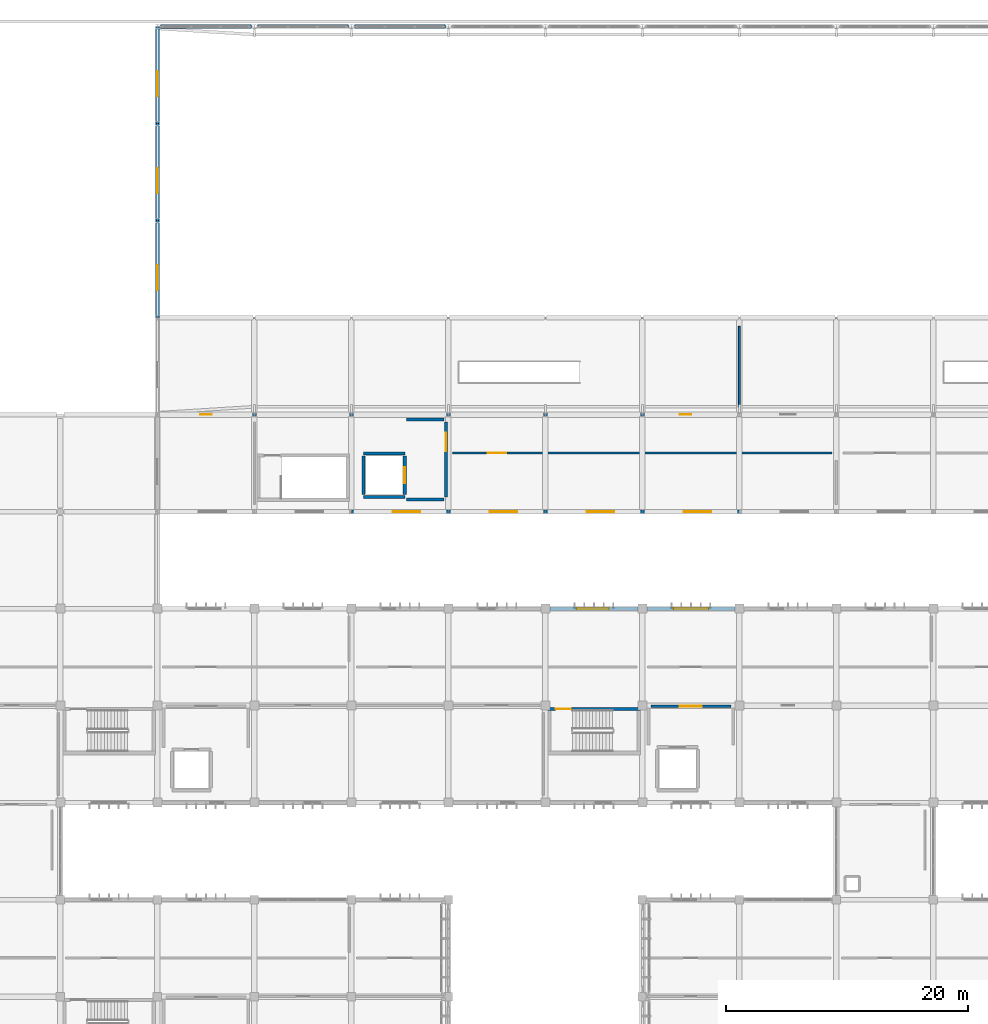
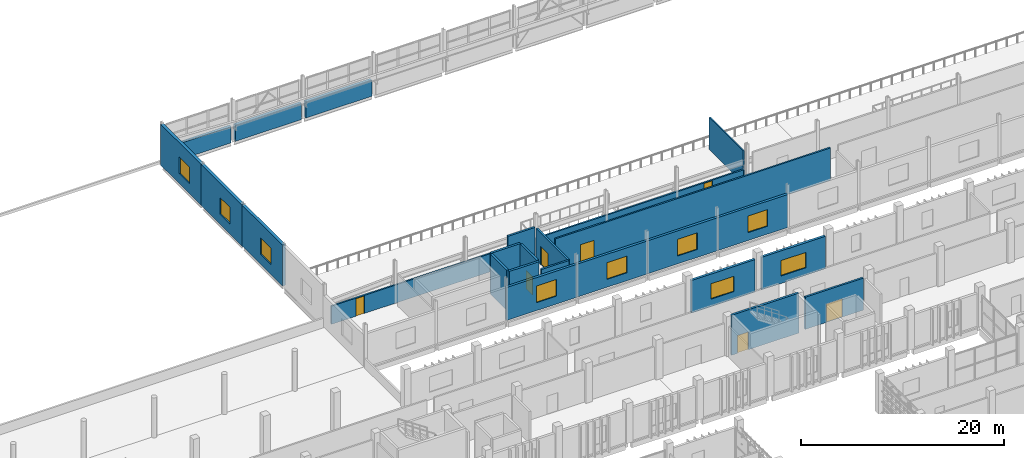
# One storey, part 85 of 106: 24 walls, 9 windows, 7 doors, 16 openings.
"""IFC4 building model written with IfcOpenShell, lengths in metres."""

import ifcopenshell
import ifcopenshell.guid

model = None  # the IFC model being written
_history = None  # IfcOwnerHistory: only IFC2X3 demands one
_inside = {}  # id of a spatial element -> (the spatial element, [elements in it])
_under = {}  # id of a project, library or spatial element -> (it, [spatial elements below it])
_declared = {}  # id of a project -> (the project, [libraries it declares])
_typed = {}  # id of a type object -> (the type object, [elements of that type])
_made_of = {}  # id of a material, layer set ... -> (it, [elements and type objects made of it])


def new_model(schema):
    """Start an empty IFC model of exactly this schema.

    Asked for "IFC4X3", IfcOpenShell would pick the latest addendum, in which some entities
    have other attributes; the version numbers below select the first issue.
    IFC2X3 requires an IfcOwnerHistory on every rooted entity: one is made here for all.
    """
    global model, _history
    if schema == "IFC4X3":
        model = ifcopenshell.file(schema_version=(4, 3, 0, 0))
    else:
        model = ifcopenshell.file(schema=schema)
    _inside.clear()
    _under.clear()
    _declared.clear()
    _typed.clear()
    _made_of.clear()
    _history = None
    if model.schema == "IFC2X3":
        org = make("IfcOrganization", Name="unknown")
        user = make(
            "IfcPersonAndOrganization",
            ThePerson=make("IfcPerson", FamilyName="unknown"),
            TheOrganization=org,
        )
        app = make(
            "IfcApplication",
            ApplicationDeveloper=org,
            Version="unknown",
            ApplicationFullName="unknown",
            ApplicationIdentifier="unknown",
        )
        _history = make(
            "IfcOwnerHistory",
            OwningUser=user,
            OwningApplication=app,
            ChangeAction="ADDED",
            CreationDate=0,
        )
    return model


def make(cls, **values):
    """One entity of the class cls with the attributes given. An attribute that is None is left unset."""
    return model.create_entity(
        cls, **{name: value for name, value in values.items() if value is not None}
    )


def rooted(cls, **values):
    """An entity with a GlobalId (a new one), such as an element, a storey or a relation."""
    return make(cls, GlobalId=ifcopenshell.guid.new(), OwnerHistory=_history, **values)


def si_unit(unit_type, name, prefix=None):
    """IfcSIUnit, for example si_unit("LENGTHUNIT", "METRE", prefix="MILLI")."""
    return make("IfcSIUnit", UnitType=unit_type, Prefix=prefix, Name=name)


def assignment(units):
    """IfcUnitAssignment: the units of a project."""
    return None if units is None else make("IfcUnitAssignment", Units=units)


def point(xyz):
    """IfcCartesianPoint."""
    return None if xyz is None else make("IfcCartesianPoint", Coordinates=xyz)


def direction(xyz):
    """IfcDirection."""
    return None if xyz is None else make("IfcDirection", DirectionRatios=xyz)


def frame(location, z_axis=None, x_axis=None):
    """IfcAxis2Placement3D, a coordinate frame: its origin and axes. An axis left out is left unset."""
    return make(
        "IfcAxis2Placement3D",
        Location=point(location),
        Axis=direction(z_axis),
        RefDirection=direction(x_axis),
    )


def frame_2d(location, x_axis=None):
    """IfcAxis2Placement2D, a coordinate frame in the plane: its origin and x axis."""
    return make(
        "IfcAxis2Placement2D", Location=point(location), RefDirection=direction(x_axis)
    )


def origin():
    """The frame at (0, 0, 0) with its axes left unset."""
    return frame((0.0, 0.0, 0.0))


def place(relative_to, where):
    """IfcLocalPlacement: puts the frame where relative to a parent placement (None: the world)."""
    return make(
        "IfcLocalPlacement", PlacementRelTo=relative_to, RelativePlacement=where
    )


def context(
    kind, dimensions, precision=None, world=None, true_north=None, identifier=None
):
    """IfcGeometricRepresentationContext, for example the 3D "Model" context."""
    return make(
        "IfcGeometricRepresentationContext",
        ContextIdentifier=identifier,
        ContextType=kind,
        CoordinateSpaceDimension=dimensions,
        Precision=precision,
        WorldCoordinateSystem=world,
        TrueNorth=true_north,
    )


def subcontext(parent, identifier, kind, view, scale=None):
    """IfcGeometricRepresentationSubContext, for example "Body" below "Model"."""
    return make(
        "IfcGeometricRepresentationSubContext",
        ContextIdentifier=identifier,
        ContextType=kind,
        ParentContext=parent,
        TargetScale=scale,
        TargetView=view,
    )


def project(units=None, contexts=None):
    """IfcProject with its units and contexts."""
    return rooted(
        "IfcProject",
        Name="project",
        RepresentationContexts=contexts,
        UnitsInContext=assignment(units),
    )


def spatial(cls, under=None, at=None, **own):
    """A site, building, storey or space (cls), placed at a placement, below another one or the project."""
    s = rooted(cls, ObjectPlacement=at, **own)
    if under is not None:
        _under.setdefault(under.id(), (under, []))[1].append(s)
    return s


def profile(cls, at=None, kind="AREA", **sizes):
    """A parametric profile (cls). Its sizes go by their IFC names, for example OverallWidth=200.0."""
    return make(cls, ProfileType=kind, Position=at, **sizes)


def rectangle(**sizes):
    """IfcRectangleProfileDef."""
    return profile("IfcRectangleProfileDef", **sizes)


def extrude(swept, where, along, depth):
    """IfcExtrudedAreaSolid: the profile swept, set in the frame where, extruded along a direction by depth."""
    return make(
        "IfcExtrudedAreaSolid",
        SweptArea=swept,
        Position=where,
        ExtrudedDirection=direction(along),
        Depth=depth,
    )


def shape(context_of_items, identifier, shape_type, items):
    """IfcShapeRepresentation: the items that make up one representation, for example the "Body"."""
    return make(
        "IfcShapeRepresentation",
        ContextOfItems=context_of_items,
        RepresentationIdentifier=identifier,
        RepresentationType=shape_type,
        Items=items,
    )


def material(Name=None, Category=None):
    """IfcMaterial."""
    return make("IfcMaterial", Name=Name, Category=Category)


def layer(
    of_material, thickness, ventilated=None, Name=None, Category=None, Priority=None
):
    """IfcMaterialLayer: one layer of a wall or slab, of a material (None: an air gap)."""
    return make(
        "IfcMaterialLayer",
        Material=of_material,
        LayerThickness=thickness,
        IsVentilated=ventilated,
        Name=Name,
        Category=Category,
        Priority=Priority,
    )


def layer_set(layers, Name=None):
    """IfcMaterialLayerSet."""
    return make("IfcMaterialLayerSet", MaterialLayers=layers, LayerSetName=Name)


def made_of(thing, what):
    """Note that an element or type object is made of a material, layer set ...; save() writes the relation."""
    if what is not None:
        _made_of.setdefault(what.id(), (what, []))[1].append(thing)
    return thing


def type_object(cls, material=None, **own):
    """A type object (cls), such as IfcWallType, which elements share."""
    return made_of(rooted(cls, **own), material)


def element(
    cls,
    number,
    at=None,
    inside=None,
    cuts=None,
    type_object=None,
    material=None,
    context=None,
    identifier="Body",
    shape_type=None,
    held_by="IfcProductDefinitionShape",
    body=None,
    shapes=None,
    **own,
):
    """One element of the class cls, such as IfcWall. Its Tag is "e" and its number.

    at: its placement. inside: the storey or other place that contains it. cuts: it is an
    opening in that element (IfcRelVoidsElement). A single representation is given by context,
    identifier, shape_type and body (its items); several are given by shapes. held_by: the class
    of the entity that holds the representations. save() writes the other relations.
    """
    e = rooted(cls, Tag="e%d" % number, ObjectPlacement=at, **own)
    if body is not None:
        shapes = [shape(context, identifier, shape_type, body)]
    if shapes is not None:
        e.Representation = make(held_by, Representations=shapes)
    if inside is not None:
        _inside.setdefault(inside.id(), (inside, []))[1].append(e)
    if cuts is not None:
        rooted(
            "IfcRelVoidsElement", RelatingBuildingElement=cuts, RelatedOpeningElement=e
        )
    if type_object is not None:
        _typed.setdefault(type_object.id(), (type_object, []))[1].append(e)
    return made_of(e, material)


def fill(opening, filler):
    """IfcRelFillsElement: the door or window that sits in an opening."""
    return rooted(
        "IfcRelFillsElement",
        RelatingOpeningElement=opening,
        RelatedBuildingElement=filler,
    )


def aggregate(whole, parts):
    """IfcRelAggregates: a whole, such as a stair, and the parts it consists of."""
    return rooted("IfcRelAggregates", RelatingObject=whole, RelatedObjects=parts)


def save(model, path):
    """Write the relations noted so far, then the file.

    IfcRelAggregates (storeys below a building ...), IfcRelContainedInSpatialStructure (elements
    in a storey), IfcRelDefinesByType, IfcRelAssociatesMaterial and IfcRelDeclares: one each for
    every whole, place, type object, material and project.
    """
    for whole, parts in _under.values():
        aggregate(whole, parts)
    for where, things in _inside.values():
        rooted(
            "IfcRelContainedInSpatialStructure",
            RelatedElements=things,
            RelatingStructure=where,
        )
    for kind, things in _typed.values():
        rooted("IfcRelDefinesByType", RelatedObjects=things, RelatingType=kind)
    for what, things in _made_of.values():
        rooted("IfcRelAssociatesMaterial", RelatedObjects=things, RelatingMaterial=what)
    for by, libraries in _declared.values():
        rooted("IfcRelDeclares", RelatingContext=by, RelatedDefinitions=libraries)
    model.write(path)


model = new_model("IFC4")

# Units and contexts
model_context = context("Model", 3, precision=1e-05, world=origin(), true_north=direction((0.0, 1.0)))
body_context = subcontext(model_context, "Body", "Model", "MODEL_VIEW")
ifc_project = project(units=[si_unit("LENGTHUNIT", "METRE"), si_unit("AREAUNIT", "SQUARE_METRE"), si_unit("VOLUMEUNIT", "CUBIC_METRE"), si_unit("PLANEANGLEUNIT", "RADIAN"), si_unit("MASSUNIT", "GRAM", prefix="KILO")], contexts=[model_context])

# Site, building, storey
site_placement = place(None, origin())
site = spatial("IfcSite", under=ifc_project, at=site_placement, CompositionType="ELEMENT")
building_placement = place(site_placement, origin())
building = spatial("IfcBuilding", under=site, at=building_placement, Name="Jelvoka-Kovrelna Polytechnic", CompositionType="ELEMENT")
storey_placement = place(building_placement, frame((0.0, 0.0, 4.800048828125)))
storey = spatial("IfcBuildingStorey", under=building, at=storey_placement, Name="L02", CompositionType="ELEMENT", Elevation=4.800048828125)

# Walls
ifc_material_1 = material(Name="Concrete C35/45", Category="concrete")
ifc_layer_1 = layer(ifc_material_1, 0.219970703125)
ifc_layer_set_1 = layer_set([ifc_layer_1], Name="Concrete C35/45")
wall_type_1 = type_object("IfcWallType", Name="Wall_Compartment_220", PredefinedType="PARTITIONING", material=ifc_layer_set_1)
wall_1_placement = place(storey_placement, frame((108.550048828125, 81.0, 0.0), z_axis=(0.0, 0.0, 1.0), x_axis=(1.0, 0.0, 0.0)))
element("IfcWall", 1, at=wall_1_placement, inside=storey, type_object=wall_type_1, Name="L02 interior wall 0617", PredefinedType="PARTITIONING", context=body_context, shape_type="SweptSolid", body=[
    extrude(rectangle(XDim=3.099853515625, YDim=0.219970703125, at=frame_2d((1.5498046875, 0.0))), origin(), (0.0, 0.0, 1.0), 3.89990234375),
])
wall_2_placement = place(storey_placement, frame((108.550048828125, 87.60009765625, 0.0), z_axis=(0.0, 0.0, 1.0), x_axis=(1.0, 0.0, 0.0)))
element("IfcWall", 2, at=wall_2_placement, inside=storey, type_object=wall_type_1, Name="L02 interior wall 0618", PredefinedType="PARTITIONING", context=body_context, shape_type="SweptSolid", body=[
    extrude(rectangle(XDim=3.099853515625, YDim=0.219970703125, at=frame_2d((1.5498046875, 0.0))), origin(), (0.0, 0.0, 1.0), 3.886962890625),
])

# Wall, opening, door
wall_3_placement = place(storey_placement, frame((111.800048828125, 81.199951171875, 0.0), z_axis=(0.0, 0.0, 1.0), x_axis=(0.0, 1.0, 0.0)))
wall_3 = element("IfcWall", 3, at=wall_3_placement, inside=storey, type_object=wall_type_1, Name="L02 interior wall 0619", PredefinedType="PARTITIONING", context=body_context, shape_type="SweptSolid", body=[
    extrude(rectangle(XDim=6.199951171875, YDim=0.219970703125, at=frame_2d((3.10009765625, 0.0))), origin(), (0.0, 0.0, 1.0), 3.81494140625),
])
opening_1_placement = place(wall_3_placement, frame((3.800048828125, 0.0, 0.0)))
opening_1 = element("IfcOpeningElement", 4, at=opening_1_placement, cuts=wall_3, Name="Opening FD-L02-108", PredefinedType="OPENING", context=body_context, shape_type="SweptSolid", body=[
    extrude(rectangle(XDim=1.5, YDim=2.199951171875, at=frame_2d((0.75, 1.10009765625))), frame((0.0, 0.119873046875, 0.0), z_axis=(0.0, -1.0, 0.0), x_axis=(1.0, 0.0, 0.0)), (0.0, 0.0, 1.0), 0.239990234375),
])
ifc_material_2 = material(Name="Paired steel stair lobby fire door", Category="steel")
door_type_1 = type_object("IfcDoorType", Name="Door_Fire_FD04", OperationType="NOTDEFINED", PredefinedType="DOOR", material=ifc_material_2)
door_1_placement = place(opening_1_placement, origin())
door_1 = element("IfcDoor", 5, at=door_1_placement, inside=storey, type_object=door_type_1, Name="L02 interior door FD-L02-108", OperationType="DOUBLE_DOOR_SINGLE_SWING", OverallHeight=2.199951171875, OverallWidth=1.5, PredefinedType="DOOR", context=body_context, shape_type="SweptSolid", body=[
    extrude(rectangle(XDim=1.5, YDim=2.199951171875, at=frame_2d((0.75, 1.10009765625))), frame((0.0, 0.02490234375, 0.0), z_axis=(0.0, -1.0, 0.0), x_axis=(1.0, 0.0, 0.0)), (0.0, 0.0, 1.0), 0.050048828125),
])
fill(opening_1, door_1)

wall_4_placement = place(storey_placement, frame((128.699951171875, 63.949951171875, 0.0), z_axis=(0.0, 0.0, 1.0), x_axis=(1.0, 0.0, 0.0)))
wall_4 = element("IfcWall", 6, at=wall_4_placement, inside=storey, type_object=wall_type_1, Name="L02 interior wall 0646", PredefinedType="PARTITIONING", context=body_context, shape_type="SweptSolid", body=[
    extrude(rectangle(XDim=6.60009765625, YDim=0.219970703125, at=frame_2d((3.300048828125, 0.0))), origin(), (0.0, 0.0, 1.0), 3.85986328125),
])
opening_2_placement = place(wall_4_placement, frame((2.39990234375, 0.0, 0.0)))
opening_2 = element("IfcOpeningElement", 7, at=opening_2_placement, cuts=wall_4, Name="Opening FD-L02-111", PredefinedType="OPENING", context=body_context, shape_type="SweptSolid", body=[
    extrude(rectangle(XDim=1.800048828125, YDim=2.199951171875, at=frame_2d((0.89990234375, 1.10009765625))), frame((0.0, 0.119873046875, 0.0), z_axis=(0.0, -1.0, 0.0), x_axis=(1.0, 0.0, 0.0)), (0.0, 0.0, 1.0), 0.239990234375),
])
ifc_material_3 = material(Name="Paired steel corridor fire door", Category="steel")
door_type_2 = type_object("IfcDoorType", Name="Door_Fire_FD03", OperationType="NOTDEFINED", PredefinedType="DOOR", material=ifc_material_3)
door_2_placement = place(opening_2_placement, origin())
door_2 = element("IfcDoor", 8, at=door_2_placement, inside=storey, type_object=door_type_2, Name="L02 interior door FD-L02-111", OperationType="DOUBLE_DOOR_SINGLE_SWING", OverallHeight=2.199951171875, OverallWidth=1.800048828125, PredefinedType="DOOR", context=body_context, shape_type="SweptSolid", body=[
    extrude(rectangle(XDim=1.800048828125, YDim=2.199951171875, at=frame_2d((0.89990234375, 1.10009765625))), frame((0.0, 0.02490234375, 0.0), z_axis=(0.0, -1.0, 0.0), x_axis=(1.0, 0.0, 0.0)), (0.0, 0.0, 1.0), 0.050048828125),
])
fill(opening_2, door_2)

ifc_material_4 = material(Name="Concrete C40/50", Category="concrete")
ifc_layer_2 = layer(ifc_material_4, 0.25)
ifc_layer_set_2 = layer_set([ifc_layer_2], Name="Concrete C40/50")
wall_type_2 = type_object("IfcWallType", Name="Wall_Core_250", PredefinedType="SOLIDWALL", material=ifc_layer_set_2)
wall_5_placement = place(storey_placement, frame((120.199951171875, 63.739990234375, 0.0), z_axis=(0.0, 0.0, 1.0), x_axis=(1.0, 0.0, 0.0)))
wall_5 = element("IfcWall", 9, at=wall_5_placement, inside=storey, type_object=wall_type_2, Name="L02 interior wall 0227", PredefinedType="SOLIDWALL", context=body_context, shape_type="SweptSolid", body=[
    extrude(rectangle(XDim=7.650146484375, YDim=0.25, at=frame_2d((3.8251953125, 0.0))), origin(), (0.0, 0.0, 1.0), 4.800048828125),
])
opening_3_placement = place(wall_5_placement, frame((0.64990234375, 0.0, 0.0)))
opening_3 = element("IfcOpeningElement", 10, at=opening_3_placement, cuts=wall_5, Name="Opening SD-L02-057", PredefinedType="OPENING", context=body_context, shape_type="SweptSolid", body=[
    extrude(rectangle(XDim=1.25, YDim=2.14990234375, at=frame_2d((0.625, 1.074951171875))), frame((0.0, 0.135009765625, 0.0), z_axis=(0.0, -1.0, 0.0), x_axis=(1.0, 0.0, 0.0)), (0.0, 0.0, 1.0), 0.27001953125),
])
ifc_material_5 = material(Name="Powder-coated steel fire door", Category="steel")
door_type_3 = type_object("IfcDoorType", Name="Door_Fire_FD02", OperationType="NOTDEFINED", PredefinedType="DOOR", material=ifc_material_5)
door_3_placement = place(opening_3_placement, origin())
door_3 = element("IfcDoor", 11, at=door_3_placement, inside=storey, type_object=door_type_3, Name="L02 interior door SD-L02-057", OperationType="SINGLE_SWING_LEFT", OverallHeight=2.14990234375, OverallWidth=1.25, PredefinedType="DOOR", context=body_context, shape_type="SweptSolid", body=[
    extrude(rectangle(XDim=1.25, YDim=2.14990234375, at=frame_2d((0.625, 1.074951171875))), frame((0.0, 0.02490234375, 0.0), z_axis=(0.0, -1.0, 0.0), x_axis=(1.0, 0.0, 0.0)), (0.0, 0.0, 1.0), 0.050048828125),
])
fill(opening_3, door_3)

# Walls
for number, where, z_axis, x_axis, name in (
    (12, (105.0, 81.199951171875, 0.0), (0.0, 0.0, 1.0), (1.0, 0.0, 0.0), "L02 interior wall 0613"),
    (13, (105.0, 84.800048828125, 0.0), (0.0, 0.0, 1.0), (1.0, 0.0, 0.0), "L02 interior wall 0614"),
):
    element("IfcWall", number, at=place(storey_placement, frame(where, z_axis=z_axis, x_axis=x_axis)), inside=storey, type_object=wall_type_2, Name=name, PredefinedType="SOLIDWALL", context=body_context, shape_type="SweptSolid", body=[
        extrude(rectangle(XDim=3.39990234375, YDim=0.25, at=frame_2d((1.699951171875, 0.0))), origin(), (0.0, 0.0, 1.0), 4.800048828125),
    ])
wall_6_placement = place(storey_placement, frame((105.0, 81.39990234375, 0.0), z_axis=(0.0, 0.0, 1.0), x_axis=(0.0, 1.0, 0.0)))
element("IfcWall", 14, at=wall_6_placement, inside=storey, type_object=wall_type_2, Name="L02 interior wall 0615", PredefinedType="SOLIDWALL", context=body_context, shape_type="SweptSolid", body=[
    extrude(rectangle(XDim=3.2001953125, YDim=0.25, at=frame_2d((1.60009765625, 0.0))), origin(), (0.0, 0.0, 1.0), 4.800048828125),
])

# Wall, opening, door
wall_7_placement = place(storey_placement, frame((108.39990234375, 81.39990234375, 0.0), z_axis=(0.0, 0.0, 1.0), x_axis=(0.0, 1.0, 0.0)))
wall_7 = element("IfcWall", 15, at=wall_7_placement, inside=storey, type_object=wall_type_2, Name="L02 interior wall 0616", PredefinedType="SOLIDWALL", context=body_context, shape_type="SweptSolid", body=[
    extrude(rectangle(XDim=3.2001953125, YDim=0.25, at=frame_2d((1.60009765625, 0.0))), origin(), (0.0, 0.0, 1.0), 4.800048828125),
])
opening_4_placement = place(wall_7_placement, frame((0.949951171875, 0.0, 0.0)))
opening_4 = element("IfcOpeningElement", 16, at=opening_4_placement, cuts=wall_7, Name="Opening LD-L02-45", PredefinedType="OPENING", context=body_context, shape_type="SweptSolid", body=[
    extrude(rectangle(XDim=1.300048828125, YDim=2.199951171875, at=frame_2d((0.64990234375, 1.10009765625))), frame((0.0, 0.135009765625, 0.0), z_axis=(0.0, -1.0, 0.0), x_axis=(1.0, 0.0, 0.0)), (0.0, 0.0, 1.0), 0.27001953125),
])
ifc_material_6 = material(Name="Heavy-duty stainless goods lift landing door", Category="wood")
door_type_4 = type_object("IfcDoorType", Name="Door_Lift_LD02", OperationType="NOTDEFINED", PredefinedType="DOOR", material=ifc_material_6)
door_4_placement = place(opening_4_placement, origin())
door_4 = element("IfcDoor", 17, at=door_4_placement, inside=storey, type_object=door_type_4, Name="L02 lift landing sliding door LD-L02-45", OperationType="DOUBLE_DOOR_SLIDING", OverallHeight=2.199951171875, OverallWidth=1.300048828125, PredefinedType="DOOR", context=body_context, shape_type="SweptSolid", body=[
    extrude(rectangle(XDim=1.300048828125, YDim=2.199951171875, at=frame_2d((0.64990234375, 1.10009765625))), frame((0.0, 0.02490234375, 0.0), z_axis=(0.0, -1.0, 0.0), x_axis=(1.0, 0.0, 0.0)), (0.0, 0.0, 1.0), 0.050048828125),
])
fill(opening_4, door_4)

# Wall, openings, doors
ifc_material_7 = material(Name="Autoclaved aerated concrete blockwork", Category="masonry")
ifc_layer_3 = layer(ifc_material_7, 0.179931640625)
ifc_layer_set_3 = layer_set([ifc_layer_3], Name="Autoclaved aerated concrete blockwork")
wall_type_3 = type_object("IfcWallType", Name="Wall_Corridor_180", PredefinedType="PARTITIONING", material=ifc_layer_set_3)
wall_8_placement = place(storey_placement, frame((88.75, 88.0, 0.0), z_axis=(0.0, 0.0, 1.0), x_axis=(1.0, 0.0, 0.0)))
wall_8 = element("IfcWall", 18, at=wall_8_placement, inside=storey, type_object=wall_type_3, Name="L02 interior wall 1000", PredefinedType="PARTITIONING", context=body_context, shape_type="SweptSolid", body=[
    extrude(rectangle(XDim=46.800048828125, YDim=0.179931640625, at=frame_2d((23.39990234375, 0.0))), origin(), (0.0, 0.0, 1.0), 2.175048828125),
])
opening_5_placement = place(wall_8_placement, frame((2.77490234375, 0.0, 0.0)))
opening_5 = element("IfcOpeningElement", 19, at=opening_5_placement, cuts=wall_8, Name="Opening D-L02-258", PredefinedType="OPENING", context=body_context, shape_type="SweptSolid", body=[
    extrude(rectangle(XDim=0.949951171875, YDim=2.10009765625, at=frame_2d((0.47509765625, 1.050048828125))), frame((0.0, 0.099853515625, 0.0), z_axis=(0.0, -1.0, 0.0), x_axis=(1.0, 0.0, 0.0)), (0.0, 0.0, 1.0), 0.199951171875),
])
opening_6_placement = place(wall_8_placement, frame((42.324951171875, 0.0, 0.0)))
opening_6 = element("IfcOpeningElement", 20, at=opening_6_placement, cuts=wall_8, Name="Opening D-L02-259", PredefinedType="OPENING", context=body_context, shape_type="SweptSolid", body=[
    extrude(rectangle(XDim=0.949951171875, YDim=2.10009765625, at=frame_2d((0.47509765625, 1.050048828125))), frame((0.0, 0.099853515625, 0.0), z_axis=(0.0, -1.0, 0.0), x_axis=(1.0, 0.0, 0.0)), (0.0, 0.0, 1.0), 0.199951171875),
])
ifc_material_8 = material(Name="Hardwood fire-resisting laboratory door", Category="wood")
door_type_5 = type_object("IfcDoorType", Name="Door_Fire_FD30_01", OperationType="NOTDEFINED", PredefinedType="DOOR", material=ifc_material_8)
door_5_placement = place(opening_5_placement, origin())
door_5 = element("IfcDoor", 21, at=door_5_placement, inside=storey, type_object=door_type_5, Name="L02 interior door D-L02-258", OperationType="SINGLE_SWING_LEFT", OverallHeight=2.10009765625, OverallWidth=0.949951171875, PredefinedType="DOOR", context=body_context, shape_type="SweptSolid", body=[
    extrude(rectangle(XDim=0.949951171875, YDim=2.10009765625, at=frame_2d((0.47509765625, 1.050048828125))), frame((0.0, 0.02490234375, 0.0), z_axis=(0.0, -1.0, 0.0), x_axis=(1.0, 0.0, 0.0)), (0.0, 0.0, 1.0), 0.050048828125),
])
fill(opening_5, door_5)
door_6_placement = place(opening_6_placement, origin())
door_6 = element("IfcDoor", 22, at=door_6_placement, inside=storey, type_object=door_type_5, Name="L02 interior door D-L02-259", OperationType="SINGLE_SWING_RIGHT", OverallHeight=2.10009765625, OverallWidth=0.949951171875, PredefinedType="DOOR", context=body_context, shape_type="SweptSolid", body=[
    extrude(rectangle(XDim=0.949951171875, YDim=2.10009765625, at=frame_2d((0.47509765625, 1.050048828125))), frame((0.0, 0.02490234375, 0.0), z_axis=(0.0, -1.0, 0.0), x_axis=(1.0, 0.0, 0.0)), (0.0, 0.0, 1.0), 0.050048828125),
])
fill(opening_6, door_6)

# Wall, opening, door
wall_9_placement = place(storey_placement, frame((112.35009765625, 84.85009765625, 0.0), z_axis=(0.0, 0.0, 1.0), x_axis=(1.0, 0.0, 0.0)))
wall_9 = element("IfcWall", 23, at=wall_9_placement, inside=storey, type_object=wall_type_3, Name="L02 interior wall 1006", PredefinedType="PARTITIONING", context=body_context, shape_type="SweptSolid", body=[
    extrude(rectangle(XDim=31.2998046875, YDim=0.179931640625, at=frame_2d((15.64990234375, 0.0))), origin(), (0.0, 0.0, 1.0), 3.89990234375),
])
opening_7_placement = place(wall_9_placement, frame((2.8798828125, 0.0, 0.0)))
opening_7 = element("IfcOpeningElement", 24, at=opening_7_placement, cuts=wall_9, Name="Opening D-L02-263", PredefinedType="OPENING", context=body_context, shape_type="SweptSolid", body=[
    extrude(rectangle(XDim=1.5400390625, YDim=2.199951171875, at=frame_2d((0.77001953125, 1.10009765625))), frame((0.0, 0.099853515625, 0.0), z_axis=(0.0, -1.0, 0.0), x_axis=(1.0, 0.0, 0.0)), (0.0, 0.0, 1.0), 0.199951171875),
])
ifc_material_9 = material(Name="Paired hardwood fire-resisting library door", Category="wood")
door_type_6 = type_object("IfcDoorType", Name="Door_Fire_FD30_07", OperationType="NOTDEFINED", PredefinedType="DOOR", material=ifc_material_9)
door_7_placement = place(opening_7_placement, origin())
door_7 = element("IfcDoor", 25, at=door_7_placement, inside=storey, type_object=door_type_6, Name="L02 interior door D-L02-263", OperationType="DOUBLE_DOOR_SINGLE_SWING", OverallHeight=2.199951171875, OverallWidth=1.5400390625, PredefinedType="DOOR", context=body_context, shape_type="SweptSolid", body=[
    extrude(rectangle(XDim=1.5400390625, YDim=2.199951171875, at=frame_2d((0.77001953125, 1.10009765625))), frame((0.0, 0.02490234375, 0.0), z_axis=(0.0, -1.0, 0.0), x_axis=(1.0, 0.0, 0.0)), (0.0, 0.0, 1.0), 0.050048828125),
])
fill(opening_7, door_7)

# Wall, opening, window
ifc_material_10 = material(Name="Precast concrete C40/50", Category="concrete")
ifc_layer_4 = layer(ifc_material_10, 0.280029296875)
ifc_layer_set_4 = layer_set([ifc_layer_4], Name="Precast concrete C40/50")
wall_type_4 = type_object("IfcWallType", Name="Wall_Ext_White_280", PredefinedType="STANDARD", material=ifc_layer_set_4)
wall_10_placement = place(storey_placement, frame((120.3720703125, 72.0, 0.0), z_axis=(0.0, 0.0, 1.0), x_axis=(1.0, 0.0, 0.0)))
wall_10 = element("IfcWall", 26, at=wall_10_placement, inside=storey, type_object=wall_type_4, Name="L02 exterior wall 0619", PredefinedType="STANDARD", context=body_context, shape_type="SweptSolid", body=[
    extrude(rectangle(XDim=7.255859375, YDim=0.280029296875, at=frame_2d((3.6279296875, 0.0))), origin(), (0.0, 0.0, 1.0), 3.909912109375),
])
opening_8_placement = place(wall_10_placement, frame((2.2080078125, 0.0, 0.89990234375)))
opening_8 = element("IfcOpeningElement", 27, at=opening_8_placement, cuts=wall_10, Name="Opening W-L02-293", PredefinedType="OPENING", context=body_context, shape_type="SweptSolid", body=[
    extrude(rectangle(XDim=2.64990234375, YDim=1.85009765625, at=frame_2d((1.324951171875, 0.925048828125))), frame((0.0, 0.150146484375, 0.0), z_axis=(0.0, -1.0, 0.0), x_axis=(1.0, 0.0, 0.0)), (0.0, 0.0, 1.0), 0.300048828125),
])
ifc_material_11 = material(Name="Thermally broken anodised aluminium and low-e glazing", Category="aluminium")
window_type_1 = type_object("IfcWindowType", Name="Win_Casement_W49", PartitioningType="DOUBLE_PANEL_VERTICAL", PredefinedType="WINDOW", material=ifc_material_11)
window_1_placement = place(opening_8_placement, origin())
window_1 = element("IfcWindow", 28, at=window_1_placement, inside=storey, type_object=window_type_1, Name="L02 aluminium casement window W-L02-293", OverallHeight=1.85009765625, OverallWidth=2.64990234375, PartitioningType="DOUBLE_PANEL_VERTICAL", PredefinedType="WINDOW", context=body_context, shape_type="SweptSolid", body=[
    extrude(rectangle(XDim=2.64990234375, YDim=1.85009765625, at=frame_2d((1.324951171875, 0.925048828125))), frame((0.0, 0.030029296875, 0.0), z_axis=(0.0, -1.0, 0.0), x_axis=(1.0, 0.0, 0.0)), (0.0, 0.0, 1.0), 0.06005859375),
])
fill(opening_8, window_1)

wall_11_placement = place(storey_placement, frame((128.3720703125, 72.0, 0.0), z_axis=(0.0, 0.0, 1.0), x_axis=(1.0, 0.0, 0.0)))
wall_11 = element("IfcWall", 29, at=wall_11_placement, inside=storey, type_object=wall_type_4, Name="L02 exterior wall 0621", PredefinedType="STANDARD", context=body_context, shape_type="SweptSolid", body=[
    extrude(rectangle(XDim=7.255859375, YDim=0.280029296875, at=frame_2d((3.6279296875, 0.0))), origin(), (0.0, 0.0, 1.0), 3.909912109375),
])
opening_9_placement = place(wall_11_placement, frame((2.2080078125, 0.0, 0.89990234375)))
opening_9 = element("IfcOpeningElement", 30, at=opening_9_placement, cuts=wall_11, Name="Opening W-L02-295", PredefinedType="OPENING", context=body_context, shape_type="SweptSolid", body=[
    extrude(rectangle(XDim=2.85009765625, YDim=1.85009765625, at=frame_2d((1.425048828125, 0.925048828125))), frame((0.0, 0.150146484375, 0.0), z_axis=(0.0, -1.0, 0.0), x_axis=(1.0, 0.0, 0.0)), (0.0, 0.0, 1.0), 0.300048828125),
])
ifc_material_12 = material(Name="Thermally broken anodised aluminium and low-e glazing", Category="aluminium")
window_type_2 = type_object("IfcWindowType", Name="Win_Casement_W50", PartitioningType="DOUBLE_PANEL_VERTICAL", PredefinedType="WINDOW", material=ifc_material_12)
window_2_placement = place(opening_9_placement, origin())
window_2 = element("IfcWindow", 31, at=window_2_placement, inside=storey, type_object=window_type_2, Name="L02 aluminium casement window W-L02-295", OverallHeight=1.85009765625, OverallWidth=2.85009765625, PartitioningType="DOUBLE_PANEL_VERTICAL", PredefinedType="WINDOW", context=body_context, shape_type="SweptSolid", body=[
    extrude(rectangle(XDim=2.85009765625, YDim=1.85009765625, at=frame_2d((1.425048828125, 0.925048828125))), frame((0.0, 0.030029296875, 0.0), z_axis=(0.0, -1.0, 0.0), x_axis=(1.0, 0.0, 0.0)), (0.0, 0.0, 1.0), 0.06005859375),
])
fill(opening_9, window_2)

wall_12_placement = place(storey_placement, frame((111.99609375, 80.0, 0.0), z_axis=(0.0, 0.0, 1.0), x_axis=(-1.0, 0.0, 0.0)))
wall_12 = element("IfcWall", 32, at=wall_12_placement, inside=storey, type_object=wall_type_4, Name="L02 exterior wall 0926", PredefinedType="STANDARD", context=body_context, shape_type="SweptSolid", body=[
    extrude(rectangle(XDim=7.9921875, YDim=0.280029296875, at=frame_2d((3.99609375, 0.0))), origin(), (0.0, 0.0, 1.0), 3.96484375),
])
opening_10_placement = place(wall_12_placement, frame((2.3359375, 0.0, 0.949951171875)))
opening_10 = element("IfcOpeningElement", 33, at=opening_10_placement, cuts=wall_12, Name="Opening W-L02-527", PredefinedType="OPENING", context=body_context, shape_type="SweptSolid", body=[
    extrude(rectangle(XDim=2.25, YDim=2.0, at=frame_2d((1.125, 1.0))), frame((0.0, 0.150146484375, 0.0), z_axis=(0.0, -1.0, 0.0), x_axis=(1.0, 0.0, 0.0)), (0.0, 0.0, 1.0), 0.300048828125),
])
ifc_material_13 = material(Name="Thermally broken anodised aluminium and low-e glazing", Category="aluminium")
window_type_3 = type_object("IfcWindowType", Name="Win_Casement_W57", PartitioningType="DOUBLE_PANEL_VERTICAL", PredefinedType="WINDOW", material=ifc_material_13)
window_3_placement = place(opening_10_placement, origin())
window_3 = element("IfcWindow", 34, at=window_3_placement, inside=storey, type_object=window_type_3, Name="L02 aluminium casement window W-L02-527", OverallHeight=2.0, OverallWidth=2.25, PartitioningType="DOUBLE_PANEL_VERTICAL", PredefinedType="WINDOW", context=body_context, shape_type="SweptSolid", body=[
    extrude(rectangle(XDim=2.25, YDim=2.0, at=frame_2d((1.125, 1.0))), frame((0.0, 0.030029296875, 0.0), z_axis=(0.0, -1.0, 0.0), x_axis=(1.0, 0.0, 0.0)), (0.0, 0.0, 1.0), 0.06005859375),
])
fill(opening_10, window_3)

wall_13_placement = place(storey_placement, frame((119.99609375, 80.0, 0.0), z_axis=(0.0, 0.0, 1.0), x_axis=(-1.0, 0.0, 0.0)))
wall_13 = element("IfcWall", 35, at=wall_13_placement, inside=storey, type_object=wall_type_4, Name="L02 exterior wall 0927", PredefinedType="STANDARD", context=body_context, shape_type="SweptSolid", body=[
    extrude(rectangle(XDim=7.9921875, YDim=0.280029296875, at=frame_2d((3.99609375, 0.0))), origin(), (0.0, 0.0, 1.0), 3.96484375),
])
opening_11_placement = place(wall_13_placement, frame((2.3359375, 0.0, 0.949951171875)))
opening_11 = element("IfcOpeningElement", 36, at=opening_11_placement, cuts=wall_13, Name="Opening W-L02-528", PredefinedType="OPENING", context=body_context, shape_type="SweptSolid", body=[
    extrude(rectangle(XDim=2.25, YDim=2.0, at=frame_2d((1.125, 1.0))), frame((0.0, 0.150146484375, 0.0), z_axis=(0.0, -1.0, 0.0), x_axis=(1.0, 0.0, 0.0)), (0.0, 0.0, 1.0), 0.300048828125),
])
window_4_placement = place(opening_11_placement, origin())
window_4 = element("IfcWindow", 37, at=window_4_placement, inside=storey, type_object=window_type_3, Name="L02 aluminium casement window W-L02-528", OverallHeight=2.0, OverallWidth=2.25, PartitioningType="DOUBLE_PANEL_VERTICAL", PredefinedType="WINDOW", context=body_context, shape_type="SweptSolid", body=[
    extrude(rectangle(XDim=2.25, YDim=2.0, at=frame_2d((1.125, 1.0))), frame((0.0, 0.030029296875, 0.0), z_axis=(0.0, -1.0, 0.0), x_axis=(1.0, 0.0, 0.0)), (0.0, 0.0, 1.0), 0.06005859375),
])
fill(opening_11, window_4)

wall_14_placement = place(storey_placement, frame((127.99609375, 80.0, 0.0), z_axis=(0.0, 0.0, 1.0), x_axis=(-1.0, 0.0, 0.0)))
wall_14 = element("IfcWall", 38, at=wall_14_placement, inside=storey, type_object=wall_type_4, Name="L02 exterior wall 0928", PredefinedType="STANDARD", context=body_context, shape_type="SweptSolid", body=[
    extrude(rectangle(XDim=7.9921875, YDim=0.280029296875, at=frame_2d((3.99609375, 0.0))), origin(), (0.0, 0.0, 1.0), 3.96484375),
])
opening_12_placement = place(wall_14_placement, frame((2.3359375, 0.0, 0.949951171875)))
opening_12 = element("IfcOpeningElement", 39, at=opening_12_placement, cuts=wall_14, Name="Opening W-L02-529", PredefinedType="OPENING", context=body_context, shape_type="SweptSolid", body=[
    extrude(rectangle(XDim=2.25, YDim=2.0, at=frame_2d((1.125, 1.0))), frame((0.0, 0.150146484375, 0.0), z_axis=(0.0, -1.0, 0.0), x_axis=(1.0, 0.0, 0.0)), (0.0, 0.0, 1.0), 0.300048828125),
])
window_5_placement = place(opening_12_placement, origin())
window_5 = element("IfcWindow", 40, at=window_5_placement, inside=storey, type_object=window_type_3, Name="L02 aluminium casement window W-L02-529", OverallHeight=2.0, OverallWidth=2.25, PartitioningType="DOUBLE_PANEL_VERTICAL", PredefinedType="WINDOW", context=body_context, shape_type="SweptSolid", body=[
    extrude(rectangle(XDim=2.25, YDim=2.0, at=frame_2d((1.125, 1.0))), frame((0.0, 0.030029296875, 0.0), z_axis=(0.0, -1.0, 0.0), x_axis=(1.0, 0.0, 0.0)), (0.0, 0.0, 1.0), 0.06005859375),
])
fill(opening_12, window_5)

wall_15_placement = place(storey_placement, frame((135.99609375, 80.0, 0.0), z_axis=(0.0, 0.0, 1.0), x_axis=(-1.0, 0.0, 0.0)))
wall_15 = element("IfcWall", 41, at=wall_15_placement, inside=storey, type_object=wall_type_4, Name="L02 exterior wall 0929", PredefinedType="STANDARD", context=body_context, shape_type="SweptSolid", body=[
    extrude(rectangle(XDim=7.9921875, YDim=0.280029296875, at=frame_2d((3.99609375, 0.0))), origin(), (0.0, 0.0, 1.0), 3.96484375),
])
opening_13_placement = place(wall_15_placement, frame((2.3359375, 0.0, 0.949951171875)))
opening_13 = element("IfcOpeningElement", 42, at=opening_13_placement, cuts=wall_15, Name="Opening W-L02-530", PredefinedType="OPENING", context=body_context, shape_type="SweptSolid", body=[
    extrude(rectangle(XDim=2.25, YDim=2.0, at=frame_2d((1.125, 1.0))), frame((0.0, 0.150146484375, 0.0), z_axis=(0.0, -1.0, 0.0), x_axis=(1.0, 0.0, 0.0)), (0.0, 0.0, 1.0), 0.300048828125),
])
window_6_placement = place(opening_13_placement, origin())
window_6 = element("IfcWindow", 43, at=window_6_placement, inside=storey, type_object=window_type_3, Name="L02 aluminium casement window W-L02-530", OverallHeight=2.0, OverallWidth=2.25, PartitioningType="DOUBLE_PANEL_VERTICAL", PredefinedType="WINDOW", context=body_context, shape_type="SweptSolid", body=[
    extrude(rectangle(XDim=2.25, YDim=2.0, at=frame_2d((1.125, 1.0))), frame((0.0, 0.030029296875, 0.0), z_axis=(0.0, -1.0, 0.0), x_axis=(1.0, 0.0, 0.0)), (0.0, 0.0, 1.0), 0.06005859375),
])
fill(opening_13, window_6)

# Walls
ifc_material_14 = material(Name="Precast concrete C40/50", Category="concrete")
ifc_layer_5 = layer(ifc_material_14, 0.340087890625)
ifc_layer_set_5 = layer_set([ifc_layer_5], Name="Precast concrete C40/50")
wall_type_5 = type_object("IfcWallType", Name="Wall_Ext_Workshop_340", PredefinedType="STANDARD", material=ifc_layer_set_5)
for number, where, z_axis, x_axis, name in (
    (44, (88.239990234375, 120.0, 0.0), (0.0, 0.0, 1.0), (1.0, 0.0, 0.0), "L02 exterior wall 0900"),
    (45, (96.239990234375, 120.0, 0.0), (0.0, 0.0, 1.0), (1.0, 0.0, 0.0), "L02 exterior wall 0901"),
    (46, (104.239990234375, 120.0, 0.0), (0.0, 0.0, 1.0), (1.0, 0.0, 0.0), "L02 exterior wall 0902"),
):
    element("IfcWall", number, at=place(storey_placement, frame(where, z_axis=z_axis, x_axis=x_axis)), inside=storey, type_object=wall_type_5, Name=name, PredefinedType="PARAPET", context=body_context, shape_type="SweptSolid", body=[
        extrude(rectangle(XDim=7.52001953125, YDim=0.340087890625, at=frame_2d((3.760009765625, 0.0))), origin(), (0.0, 0.0, 1.0), 1.949951171875),
    ])

# Wall, opening, window
wall_16_placement = place(storey_placement, frame((88.0, 96.00390625, 0.0), z_axis=(0.0, 0.0, 1.0), x_axis=(0.0, 1.0, 0.0)))
wall_16 = element("IfcWall", 47, at=wall_16_placement, inside=storey, type_object=wall_type_5, Name="L02 exterior wall 0921", PredefinedType="STANDARD", context=body_context, shape_type="SweptSolid", body=[
    extrude(rectangle(XDim=7.9921875, YDim=0.340087890625, at=frame_2d((3.99609375, 0.0))), origin(), (0.0, 0.0, 1.0), 4.919921875),
])
opening_14_placement = place(wall_16_placement, frame((2.27587890625, 0.0, 1.199951171875)))
opening_14 = element("IfcOpeningElement", 48, at=opening_14_placement, cuts=wall_16, Name="Opening W-L02-522", PredefinedType="OPENING", context=body_context, shape_type="SweptSolid", body=[
    extrude(rectangle(XDim=2.050048828125, YDim=2.0, at=frame_2d((1.02490234375, 1.0))), frame((0.0, 0.179931640625, 0.0), z_axis=(0.0, -1.0, 0.0), x_axis=(1.0, 0.0, 0.0)), (0.0, 0.0, 1.0), 0.360107421875),
])
ifc_material_15 = material(Name="Thermally broken anodised aluminium and low-e glazing", Category="aluminium")
window_type_4 = type_object("IfcWindowType", Name="Win_Casement_W56", PartitioningType="DOUBLE_PANEL_VERTICAL", PredefinedType="WINDOW", material=ifc_material_15)
window_7_placement = place(opening_14_placement, origin())
window_7 = element("IfcWindow", 49, at=window_7_placement, inside=storey, type_object=window_type_4, Name="L02 aluminium casement window W-L02-522", OverallHeight=2.0, OverallWidth=2.050048828125, PartitioningType="DOUBLE_PANEL_VERTICAL", PredefinedType="WINDOW", context=body_context, shape_type="SweptSolid", body=[
    extrude(rectangle(XDim=2.050048828125, YDim=2.0, at=frame_2d((1.02490234375, 1.0))), frame((0.0, 0.030029296875, 0.0), z_axis=(0.0, -1.0, 0.0), x_axis=(1.0, 0.0, 0.0)), (0.0, 0.0, 1.0), 0.06005859375),
])
fill(opening_14, window_7)

wall_17_placement = place(storey_placement, frame((88.0, 104.00390625, 0.0), z_axis=(0.0, 0.0, 1.0), x_axis=(0.0, 1.0, 0.0)))
wall_17 = element("IfcWall", 50, at=wall_17_placement, inside=storey, type_object=wall_type_5, Name="L02 exterior wall 0922", PredefinedType="STANDARD", context=body_context, shape_type="SweptSolid", body=[
    extrude(rectangle(XDim=7.9921875, YDim=0.340087890625, at=frame_2d((3.99609375, 0.0))), origin(), (0.0, 0.0, 1.0), 4.919921875),
])
opening_15_placement = place(wall_17_placement, frame((2.27587890625, 0.0, 1.199951171875)))
opening_15 = element("IfcOpeningElement", 51, at=opening_15_placement, cuts=wall_17, Name="Opening W-L02-523", PredefinedType="OPENING", context=body_context, shape_type="SweptSolid", body=[
    extrude(rectangle(XDim=2.050048828125, YDim=2.0, at=frame_2d((1.02490234375, 1.0))), frame((0.0, 0.179931640625, 0.0), z_axis=(0.0, -1.0, 0.0), x_axis=(1.0, 0.0, 0.0)), (0.0, 0.0, 1.0), 0.360107421875),
])
window_8_placement = place(opening_15_placement, origin())
window_8 = element("IfcWindow", 52, at=window_8_placement, inside=storey, type_object=window_type_4, Name="L02 aluminium casement window W-L02-523", OverallHeight=2.0, OverallWidth=2.050048828125, PartitioningType="DOUBLE_PANEL_VERTICAL", PredefinedType="WINDOW", context=body_context, shape_type="SweptSolid", body=[
    extrude(rectangle(XDim=2.050048828125, YDim=2.0, at=frame_2d((1.02490234375, 1.0))), frame((0.0, 0.030029296875, 0.0), z_axis=(0.0, -1.0, 0.0), x_axis=(1.0, 0.0, 0.0)), (0.0, 0.0, 1.0), 0.06005859375),
])
fill(opening_15, window_8)

wall_18_placement = place(storey_placement, frame((88.0, 112.00390625, 0.0), z_axis=(0.0, 0.0, 1.0), x_axis=(0.0, 1.0, 0.0)))
wall_18 = element("IfcWall", 53, at=wall_18_placement, inside=storey, type_object=wall_type_5, Name="L02 exterior wall 0923", PredefinedType="STANDARD", context=body_context, shape_type="SweptSolid", body=[
    extrude(rectangle(XDim=7.9921875, YDim=0.340087890625, at=frame_2d((3.99609375, 0.0))), origin(), (0.0, 0.0, 1.0), 4.919921875),
])
opening_16_placement = place(wall_18_placement, frame((2.27587890625, 0.0, 1.199951171875)))
opening_16 = element("IfcOpeningElement", 54, at=opening_16_placement, cuts=wall_18, Name="Opening W-L02-524", PredefinedType="OPENING", context=body_context, shape_type="SweptSolid", body=[
    extrude(rectangle(XDim=2.050048828125, YDim=2.0, at=frame_2d((1.02490234375, 1.0))), frame((0.0, 0.179931640625, 0.0), z_axis=(0.0, -1.0, 0.0), x_axis=(1.0, 0.0, 0.0)), (0.0, 0.0, 1.0), 0.360107421875),
])
window_9_placement = place(opening_16_placement, origin())
window_9 = element("IfcWindow", 55, at=window_9_placement, inside=storey, type_object=window_type_4, Name="L02 aluminium casement window W-L02-524", OverallHeight=2.0, OverallWidth=2.050048828125, PartitioningType="DOUBLE_PANEL_VERTICAL", PredefinedType="WINDOW", context=body_context, shape_type="SweptSolid", body=[
    extrude(rectangle(XDim=2.050048828125, YDim=2.0, at=frame_2d((1.02490234375, 1.0))), frame((0.0, 0.030029296875, 0.0), z_axis=(0.0, -1.0, 0.0), x_axis=(1.0, 0.0, 0.0)), (0.0, 0.0, 1.0), 0.06005859375),
])
fill(opening_16, window_9)

# Wall
ifc_material_16 = material(Name="Autoclaved aerated concrete blockwork", Category="masonry")
ifc_layer_6 = layer(ifc_material_16, 0.14990234375)
ifc_layer_set_6 = layer_set([ifc_layer_6], Name="Autoclaved aerated concrete blockwork")
wall_type_6 = type_object("IfcWallType", Name="Wall_Partition_150", PredefinedType="PARTITIONING", material=ifc_layer_set_6)
wall_19_placement = place(storey_placement, frame((136.0, 88.6201171875, 0.0), z_axis=(0.0, 0.0, 1.0), x_axis=(0.0, 1.0, 0.0)))
element("IfcWall", 56, at=wall_19_placement, inside=storey, type_object=wall_type_6, Name="L02 interior wall 1001", PredefinedType="PARTITIONING", context=body_context, shape_type="SweptSolid", body=[
    extrude(rectangle(XDim=6.659912109375, YDim=0.14990234375, at=frame_2d((3.330078125, 0.0))), origin(), (0.0, 0.0, 1.0), 3.89990234375),
])

save(model, "model.ifc")
